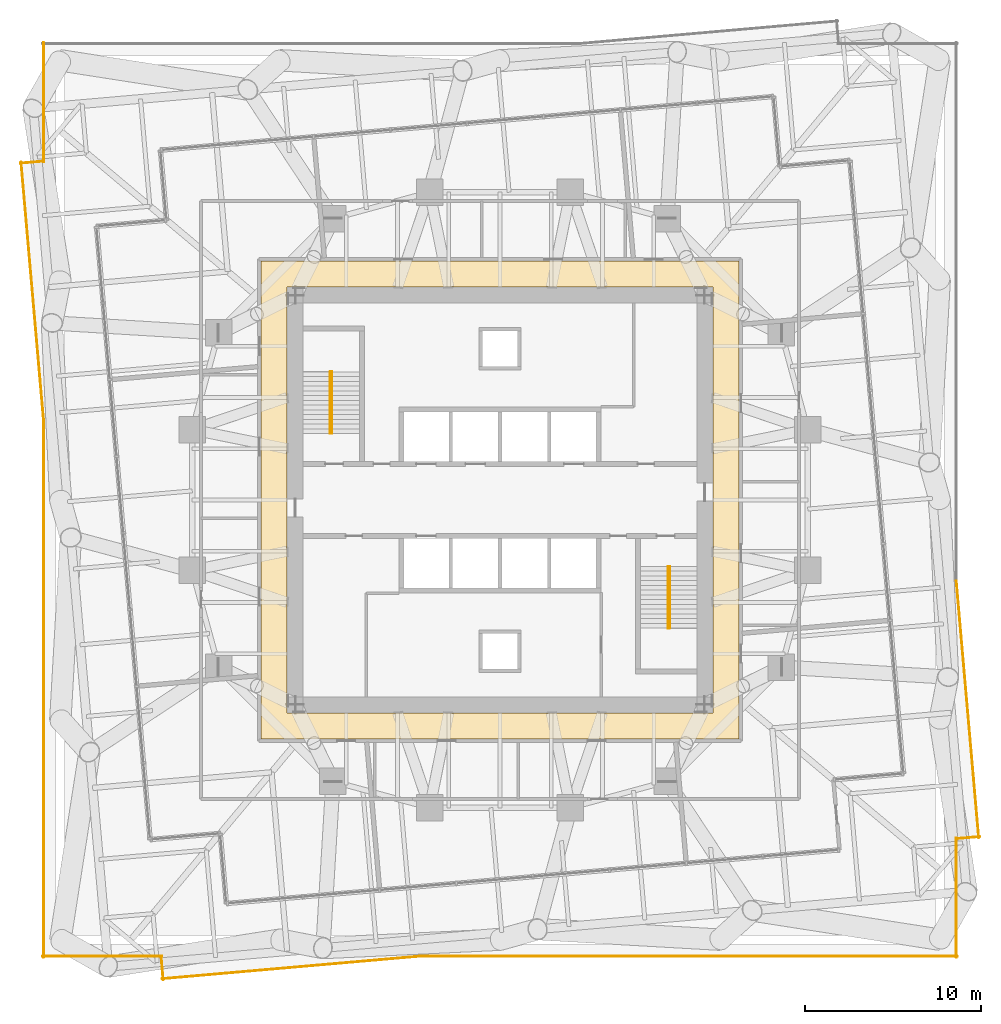
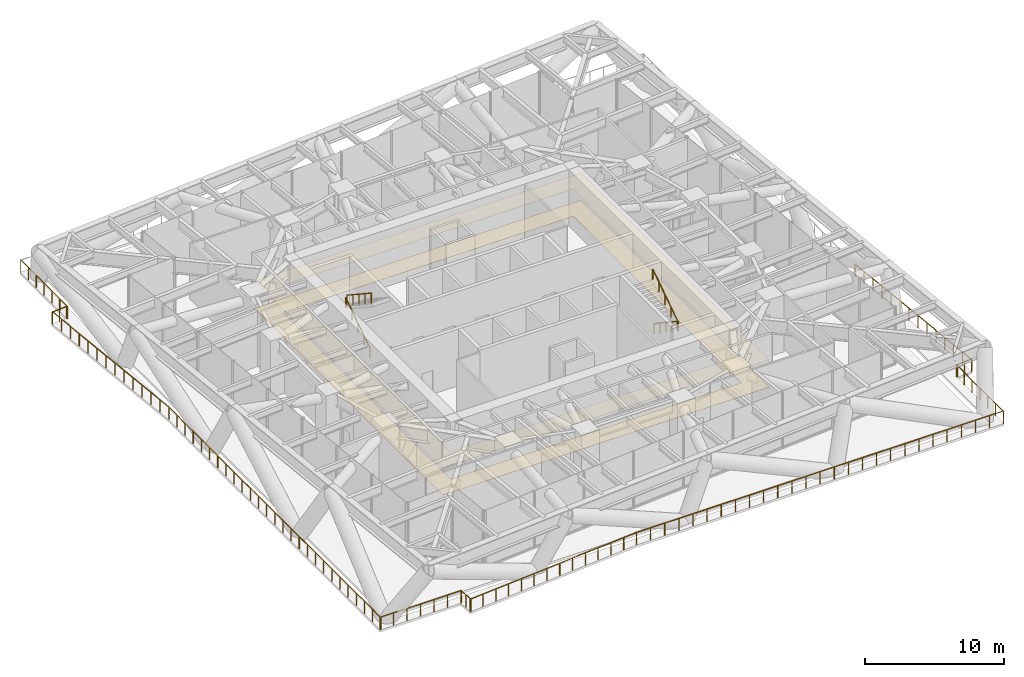
# One storey, part 13 of 14: 15 railings, 2 coverings, 2 elements without a shape of their own.
"""IFC4 building model written with IfcOpenShell, lengths in metres."""

from ifc_helpers import new_model, si_unit, direction, frame, origin, origin_2d, place, context, subcontext, project, spatial, polyline, circle, outline, extrude, material, layer, layer_set, type_object, element, aggregate, save


model = new_model("IFC4")

# Units and contexts
model_context = context("Model", 3, precision=1e-05, world=origin(), true_north=direction((0.0, 1.0)))
body_context = subcontext(model_context, "Body", "Model", "MODEL_VIEW")
ifc_project = project(units=[si_unit("LENGTHUNIT", "METRE"), si_unit("AREAUNIT", "SQUARE_METRE"), si_unit("VOLUMEUNIT", "CUBIC_METRE"), si_unit("PLANEANGLEUNIT", "RADIAN"), si_unit("MASSUNIT", "GRAM", prefix="KILO")], contexts=[model_context])

# Site, building, storey
site_placement = place(None, origin())
site = spatial("IfcSite", under=ifc_project, at=site_placement, CompositionType="ELEMENT")
building_placement = place(site_placement, origin())
building = spatial("IfcBuilding", under=site, at=building_placement, Name="Torsade Residences", CompositionType="ELEMENT")
storey_placement = place(building_placement, frame((0.0, 0.0, 42.199951171875)))
storey = spatial("IfcBuildingStorey", under=building, at=storey_placement, Name="L11", CompositionType="ELEMENT", Elevation=42.199951171875)

# Coverings
ifc_material_1 = material(Name="Nylon carpet tile on underlay", Category="textile")
ifc_layer_1 = layer(ifc_material_1, 0.010009765625)
ifc_layer_set_1 = layer_set([ifc_layer_1], Name="Nylon carpet tile on underlay")
covering_type_1 = type_object("IfcCoveringType", Name="CORRIDOR CARPET TILE 10", PredefinedType="FLOORING", material=ifc_layer_set_1)
covering_1_placement = place(storey_placement, origin())
element("IfcCovering", 1, at=covering_1_placement, inside=storey, type_object=covering_type_1, Name="Corridor carpet L11", PredefinedType="FLOORING", context=body_context, shape_type="SweptSolid", body=[
    extrude(outline(polyline([(26.39990234375, 16.39990234375), (53.60009765625, 16.39990234375), (53.60009765625, 43.60009765625), (26.39990234375, 43.60009765625), (26.39990234375, 16.39990234375)]), holes=[polyline([(27.89990234375, 42.10009765625), (27.89990234375, 17.89990234375), (52.10009765625, 17.89990234375), (52.10009765625, 42.10009765625), (27.89990234375, 42.10009765625)])]), origin(), (0.0, 0.0, 1.0), 0.010009765625),
])
ifc_material_2 = material(Name="Plasterboard on suspended steel grid", Category="steel")
ifc_layer_2 = layer(ifc_material_2, 0.012939453125)
ifc_layer_set_2 = layer_set([ifc_layer_2], Name="Plasterboard on suspended steel grid")
covering_type_2 = type_object("IfcCoveringType", Name="CORRIDOR SUSPENDED CEILING 13", PredefinedType="CEILING", material=ifc_layer_set_2)
covering_2_placement = place(storey_placement, frame((0.0, 0.0, 2.400146484375)))
element("IfcCovering", 2, at=covering_2_placement, inside=storey, type_object=covering_type_2, Name="Corridor ceiling L11", PredefinedType="CEILING", context=body_context, shape_type="SweptSolid", body=[
    extrude(outline(polyline([(26.39990234375, 16.39990234375), (53.60009765625, 16.39990234375), (53.60009765625, 43.60009765625), (26.39990234375, 43.60009765625), (26.39990234375, 16.39990234375)]), holes=[polyline([(27.89990234375, 42.10009765625), (27.89990234375, 17.89990234375), (52.10009765625, 17.89990234375), (52.10009765625, 42.10009765625), (27.89990234375, 42.10009765625)])]), origin(), (0.0, 0.0, 1.0), 0.012939453125),
])

# Railings
ifc_material_3 = material(Name="Galvanised steel guard rail", Category="steel")
railing_type_1 = type_object("IfcRailingType", Name="ROOF EDGE GUARD 1100", PredefinedType="GUARDRAIL", material=ifc_material_3)
railing_1_placement = place(storey_placement, frame((20.742431640625, 4.00439453125, 0.0)))
element("IfcRailing", 3, at=railing_1_placement, inside=storey, type_object=railing_type_1, Name="Roof edge guard L11 1", PredefinedType="GUARDRAIL", context=body_context, shape_type="SweptSolid", body=[
    extrude(circle(Radius=0.02392578125, at=origin_2d()), frame((0.0, 0.0, 1.076171875), z_axis=(0.087048804972, -0.996204048151, 0.0), x_axis=(0.996204048151, 0.087048804972, 0.0)), (0.0, 0.0, 1.0), 1.28173828125),
    extrude(circle(Radius=0.02099609375, at=origin_2d()), origin(), (0.0, 0.0, 1.0), 1.052001953125),
    extrude(circle(Radius=0.02099609375, at=origin_2d()), frame((0.0556640625, -0.638427734375, 0.0)), (0.0, 0.0, 1.0), 1.052001953125),
    extrude(circle(Radius=0.02099609375, at=origin_2d()), frame((0.111572265625, -1.27685546875, 0.0)), (0.0, 0.0, 1.0), 1.052001953125),
])
railing_2_placement = place(storey_placement, frame((20.800048828125, 2.77294921875, 0.0)))
element("IfcRailing", 4, at=railing_2_placement, inside=storey, type_object=railing_type_1, Name="Roof edge guard L11 2", PredefinedType="GUARDRAIL", context=body_context, shape_type="SweptSolid", body=[
    extrude(circle(Radius=0.02392578125, at=origin_2d()), frame((0.0, 0.0, 1.076171875), z_axis=(0.996193807914, 0.087165916933, 0.0), x_axis=(-0.087165916933, 0.996193807914, 0.0)), (0.0, 0.0, 1.0), 14.654052734375),
    extrude(circle(Radius=0.02099609375, at=origin_2d()), origin(), (0.0, 0.0, 1.0), 1.052001953125),
    extrude(circle(Radius=0.02099609375, at=origin_2d()), frame((1.123046875, 0.09814453125, 0.0)), (0.0, 0.0, 1.0), 1.052001953125),
    extrude(circle(Radius=0.02099609375, at=origin_2d()), frame((2.245849609375, 0.196533203125, 0.0)), (0.0, 0.0, 1.0), 1.052001953125),
    extrude(circle(Radius=0.02099609375, at=origin_2d()), frame((3.368896484375, 0.294677734375, 0.0)), (0.0, 0.0, 1.0), 1.052001953125),
    extrude(circle(Radius=0.02099609375, at=origin_2d()), frame((4.49169921875, 0.39306640625, 0.0)), (0.0, 0.0, 1.0), 1.052001953125),
    extrude(circle(Radius=0.02099609375, at=origin_2d()), frame((5.61474609375, 0.4912109375, 0.0)), (0.0, 0.0, 1.0), 1.052001953125),
    extrude(circle(Radius=0.02099609375, at=origin_2d()), frame((6.73779296875, 0.589599609375, 0.0)), (0.0, 0.0, 1.0), 1.052001953125),
    extrude(circle(Radius=0.02099609375, at=origin_2d()), frame((7.860595703125, 0.687744140625, 0.0)), (0.0, 0.0, 1.0), 1.052001953125),
    extrude(circle(Radius=0.02099609375, at=origin_2d()), frame((8.983642578125, 0.7861328125, 0.0)), (0.0, 0.0, 1.0), 1.052001953125),
    extrude(circle(Radius=0.02099609375, at=origin_2d()), frame((10.106689453125, 0.88427734375, 0.0)), (0.0, 0.0, 1.0), 1.052001953125),
    extrude(circle(Radius=0.02099609375, at=origin_2d()), frame((11.2294921875, 0.982666015625, 0.0)), (0.0, 0.0, 1.0), 1.052001953125),
    extrude(circle(Radius=0.02099609375, at=origin_2d()), frame((12.3525390625, 1.080810546875, 0.0)), (0.0, 0.0, 1.0), 1.052001953125),
    extrude(circle(Radius=0.02099609375, at=origin_2d()), frame((13.475341796875, 1.17919921875, 0.0)), (0.0, 0.0, 1.0), 1.052001953125),
    extrude(circle(Radius=0.02099609375, at=origin_2d()), frame((14.598388671875, 1.27734375, 0.0)), (0.0, 0.0, 1.0), 1.052001953125),
])
railing_3_placement = place(storey_placement, frame((35.3984375, 4.050048828125, 0.0)))
element("IfcRailing", 5, at=railing_3_placement, inside=storey, type_object=railing_type_1, Name="Roof edge guard L11 3", PredefinedType="GUARDRAIL", context=body_context, shape_type="SweptSolid", body=[
    extrude(circle(Radius=0.02392578125, at=origin_2d()), frame((0.0, 0.0, 1.076171875), z_axis=(1.0, 0.0, 0.0), x_axis=(0.0, 1.0, 0.0)), (0.0, 0.0, 1.0), 30.6015625),
    extrude(circle(Radius=0.02099609375, at=origin_2d()), origin(), (0.0, 0.0, 1.0), 1.052001953125),
    extrude(circle(Radius=0.02099609375, at=origin_2d()), frame((1.177001953125, 0.0, 0.0)), (0.0, 0.0, 1.0), 1.052001953125),
    extrude(circle(Radius=0.02099609375, at=origin_2d()), frame((2.35400390625, 0.0, 0.0)), (0.0, 0.0, 1.0), 1.052001953125),
    extrude(circle(Radius=0.02099609375, at=origin_2d()), frame((3.531005859375, 0.0, 0.0)), (0.0, 0.0, 1.0), 1.052001953125),
    extrude(circle(Radius=0.02099609375, at=origin_2d()), frame((4.7080078125, 0.0, 0.0)), (0.0, 0.0, 1.0), 1.052001953125),
    extrude(circle(Radius=0.02099609375, at=origin_2d()), frame((5.885009765625, 0.0, 0.0)), (0.0, 0.0, 1.0), 1.052001953125),
    extrude(circle(Radius=0.02099609375, at=origin_2d()), frame((7.06201171875, 0.0, 0.0)), (0.0, 0.0, 1.0), 1.052001953125),
    extrude(circle(Radius=0.02099609375, at=origin_2d()), frame((8.23876953125, 0.0, 0.0)), (0.0, 0.0, 1.0), 1.052001953125),
    extrude(circle(Radius=0.02099609375, at=origin_2d()), frame((9.415771484375, 0.0, 0.0)), (0.0, 0.0, 1.0), 1.052001953125),
    extrude(circle(Radius=0.02099609375, at=origin_2d()), frame((10.5927734375, 0.0, 0.0)), (0.0, 0.0, 1.0), 1.052001953125),
    extrude(circle(Radius=0.02099609375, at=origin_2d()), frame((11.769775390625, 0.0, 0.0)), (0.0, 0.0, 1.0), 1.052001953125),
    extrude(circle(Radius=0.02099609375, at=origin_2d()), frame((12.94677734375, 0.0, 0.0)), (0.0, 0.0, 1.0), 1.052001953125),
    extrude(circle(Radius=0.02099609375, at=origin_2d()), frame((14.123779296875, 0.0, 0.0)), (0.0, 0.0, 1.0), 1.052001953125),
    extrude(circle(Radius=0.02099609375, at=origin_2d()), frame((15.30078125, 0.0, 0.0)), (0.0, 0.0, 1.0), 1.052001953125),
    extrude(circle(Radius=0.02099609375, at=origin_2d()), frame((16.477783203125, 0.0, 0.0)), (0.0, 0.0, 1.0), 1.052001953125),
    extrude(circle(Radius=0.02099609375, at=origin_2d()), frame((17.65478515625, 0.0, 0.0)), (0.0, 0.0, 1.0), 1.052001953125),
    extrude(circle(Radius=0.02099609375, at=origin_2d()), frame((18.831787109375, 0.0, 0.0)), (0.0, 0.0, 1.0), 1.052001953125),
    extrude(circle(Radius=0.02099609375, at=origin_2d()), frame((20.0087890625, 0.0, 0.0)), (0.0, 0.0, 1.0), 1.052001953125),
    extrude(circle(Radius=0.02099609375, at=origin_2d()), frame((21.185791015625, 0.0, 0.0)), (0.0, 0.0, 1.0), 1.052001953125),
    extrude(circle(Radius=0.02099609375, at=origin_2d()), frame((22.36279296875, 0.0, 0.0)), (0.0, 0.0, 1.0), 1.052001953125),
    extrude(circle(Radius=0.02099609375, at=origin_2d()), frame((23.53955078125, 0.0, 0.0)), (0.0, 0.0, 1.0), 1.052001953125),
    extrude(circle(Radius=0.02099609375, at=origin_2d()), frame((24.716552734375, 0.0, 0.0)), (0.0, 0.0, 1.0), 1.052001953125),
    extrude(circle(Radius=0.02099609375, at=origin_2d()), frame((25.8935546875, 0.0, 0.0)), (0.0, 0.0, 1.0), 1.052001953125),
    extrude(circle(Radius=0.02099609375, at=origin_2d()), frame((27.070556640625, 0.0, 0.0)), (0.0, 0.0, 1.0), 1.052001953125),
    extrude(circle(Radius=0.02099609375, at=origin_2d()), frame((28.24755859375, 0.0, 0.0)), (0.0, 0.0, 1.0), 1.052001953125),
    extrude(circle(Radius=0.02099609375, at=origin_2d()), frame((29.424560546875, 0.0, 0.0)), (0.0, 0.0, 1.0), 1.052001953125),
    extrude(circle(Radius=0.02099609375, at=origin_2d()), frame((30.6015625, 0.0, 0.0)), (0.0, 0.0, 1.0), 1.052001953125),
])
railing_4_placement = place(storey_placement, frame((65.949951171875, 4.0, 0.0)))
element("IfcRailing", 6, at=railing_4_placement, inside=storey, type_object=railing_type_1, Name="Roof edge guard L11 4", PredefinedType="GUARDRAIL", context=body_context, shape_type="SweptSolid", body=[
    extrude(circle(Radius=0.02392578125, at=origin_2d()), frame((0.0, 0.0, 1.076171875), z_axis=(0.0, 1.0, 0.0), x_axis=(-1.0, 0.0, 0.0)), (0.0, 0.0, 1.0), 6.7841796875),
    extrude(circle(Radius=0.02099609375, at=origin_2d()), origin(), (0.0, 0.0, 1.0), 1.052001953125),
    extrude(circle(Radius=0.02099609375, at=origin_2d()), frame((0.0, 1.130615234375, 0.0)), (0.0, 0.0, 1.0), 1.052001953125),
    extrude(circle(Radius=0.02099609375, at=origin_2d()), frame((0.0, 2.261474609375, 0.0)), (0.0, 0.0, 1.0), 1.052001953125),
    extrude(circle(Radius=0.02099609375, at=origin_2d()), frame((0.0, 3.39208984375, 0.0)), (0.0, 0.0, 1.0), 1.052001953125),
    extrude(circle(Radius=0.02099609375, at=origin_2d()), frame((0.0, 4.522705078125, 0.0)), (0.0, 0.0, 1.0), 1.052001953125),
    extrude(circle(Radius=0.02099609375, at=origin_2d()), frame((0.0, 5.653564453125, 0.0)), (0.0, 0.0, 1.0), 1.052001953125),
    extrude(circle(Radius=0.02099609375, at=origin_2d()), frame((0.0, 6.7841796875, 0.0)), (0.0, 0.0, 1.0), 1.052001953125),
])
railing_5_placement = place(storey_placement, frame((65.99560546875, 10.742431640625, 0.0)))
element("IfcRailing", 7, at=railing_5_placement, inside=storey, type_object=railing_type_1, Name="Roof edge guard L11 5", PredefinedType="GUARDRAIL", context=body_context, shape_type="SweptSolid", body=[
    extrude(circle(Radius=0.02392578125, at=origin_2d()), frame((0.0, 0.0, 1.076171875), z_axis=(0.996204048151, 0.087048804972, 0.0), x_axis=(-0.087048804972, 0.996204048151, 0.0)), (0.0, 0.0, 1.0), 1.28173828125),
    extrude(circle(Radius=0.02099609375, at=origin_2d()), origin(), (0.0, 0.0, 1.0), 1.052001953125),
    extrude(circle(Radius=0.02099609375, at=origin_2d()), frame((0.638427734375, 0.0556640625, 0.0)), (0.0, 0.0, 1.0), 1.052001953125),
    extrude(circle(Radius=0.02099609375, at=origin_2d()), frame((1.27685546875, 0.111572265625, 0.0)), (0.0, 0.0, 1.0), 1.052001953125),
])
railing_6_placement = place(storey_placement, frame((67.22705078125, 10.800048828125, 0.0)))
element("IfcRailing", 8, at=railing_6_placement, inside=storey, type_object=railing_type_1, Name="Roof edge guard L11 6", PredefinedType="GUARDRAIL", context=body_context, shape_type="SweptSolid", body=[
    extrude(circle(Radius=0.02392578125, at=origin_2d()), frame((0.0, 0.0, 1.076171875), z_axis=(-0.087165916933, 0.996193807914, 0.0), x_axis=(-0.996193807914, -0.087165916933, 0.0)), (0.0, 0.0, 1.0), 14.654052734375),
    extrude(circle(Radius=0.02099609375, at=origin_2d()), origin(), (0.0, 0.0, 1.0), 1.052001953125),
    extrude(circle(Radius=0.02099609375, at=origin_2d()), frame((-0.09814453125, 1.123046875, 0.0)), (0.0, 0.0, 1.0), 1.052001953125),
    extrude(circle(Radius=0.02099609375, at=origin_2d()), frame((-0.196533203125, 2.245849609375, 0.0)), (0.0, 0.0, 1.0), 1.052001953125),
    extrude(circle(Radius=0.02099609375, at=origin_2d()), frame((-0.294677734375, 3.368896484375, 0.0)), (0.0, 0.0, 1.0), 1.052001953125),
    extrude(circle(Radius=0.02099609375, at=origin_2d()), frame((-0.39306640625, 4.49169921875, 0.0)), (0.0, 0.0, 1.0), 1.052001953125),
    extrude(circle(Radius=0.02099609375, at=origin_2d()), frame((-0.4912109375, 5.61474609375, 0.0)), (0.0, 0.0, 1.0), 1.052001953125),
    extrude(circle(Radius=0.02099609375, at=origin_2d()), frame((-0.589599609375, 6.73779296875, 0.0)), (0.0, 0.0, 1.0), 1.052001953125),
    extrude(circle(Radius=0.02099609375, at=origin_2d()), frame((-0.687744140625, 7.860595703125, 0.0)), (0.0, 0.0, 1.0), 1.052001953125),
    extrude(circle(Radius=0.02099609375, at=origin_2d()), frame((-0.7861328125, 8.983642578125, 0.0)), (0.0, 0.0, 1.0), 1.052001953125),
    extrude(circle(Radius=0.02099609375, at=origin_2d()), frame((-0.88427734375, 10.106689453125, 0.0)), (0.0, 0.0, 1.0), 1.052001953125),
    extrude(circle(Radius=0.02099609375, at=origin_2d()), frame((-0.982666015625, 11.2294921875, 0.0)), (0.0, 0.0, 1.0), 1.052001953125),
    extrude(circle(Radius=0.02099609375, at=origin_2d()), frame((-1.080810546875, 12.3525390625, 0.0)), (0.0, 0.0, 1.0), 1.052001953125),
    extrude(circle(Radius=0.02099609375, at=origin_2d()), frame((-1.17919921875, 13.475341796875, 0.0)), (0.0, 0.0, 1.0), 1.052001953125),
    extrude(circle(Radius=0.02099609375, at=origin_2d()), frame((-1.27734375, 14.598388671875, 0.0)), (0.0, 0.0, 1.0), 1.052001953125),
])
railing_7_placement = place(storey_placement, frame((14.050048828125, 56.0, 0.0)))
element("IfcRailing", 9, at=railing_7_placement, inside=storey, type_object=railing_type_1, Name="Roof edge guard L11 12", PredefinedType="GUARDRAIL", context=body_context, shape_type="SweptSolid", body=[
    extrude(circle(Radius=0.02392578125, at=origin_2d()), frame((0.0, 0.0, 1.076171875), z_axis=(0.0, -1.0, 0.0), x_axis=(1.0, 0.0, 0.0)), (0.0, 0.0, 1.0), 6.7841796875),
    extrude(circle(Radius=0.02099609375, at=origin_2d()), origin(), (0.0, 0.0, 1.0), 1.052001953125),
    extrude(circle(Radius=0.02099609375, at=origin_2d()), frame((0.0, -1.130615234375, 0.0)), (0.0, 0.0, 1.0), 1.052001953125),
    extrude(circle(Radius=0.02099609375, at=origin_2d()), frame((0.0, -2.261474609375, 0.0)), (0.0, 0.0, 1.0), 1.052001953125),
    extrude(circle(Radius=0.02099609375, at=origin_2d()), frame((0.0, -3.39208984375, 0.0)), (0.0, 0.0, 1.0), 1.052001953125),
    extrude(circle(Radius=0.02099609375, at=origin_2d()), frame((0.0, -4.522705078125, 0.0)), (0.0, 0.0, 1.0), 1.052001953125),
    extrude(circle(Radius=0.02099609375, at=origin_2d()), frame((0.0, -5.653564453125, 0.0)), (0.0, 0.0, 1.0), 1.052001953125),
    extrude(circle(Radius=0.02099609375, at=origin_2d()), frame((0.0, -6.7841796875, 0.0)), (0.0, 0.0, 1.0), 1.052001953125),
])
railing_8_placement = place(storey_placement, frame((14.00439453125, 49.257568359375, 0.0)))
element("IfcRailing", 10, at=railing_8_placement, inside=storey, type_object=railing_type_1, Name="Roof edge guard L11 13", PredefinedType="GUARDRAIL", context=body_context, shape_type="SweptSolid", body=[
    extrude(circle(Radius=0.02392578125, at=origin_2d()), frame((0.0, 0.0, 1.076171875), z_axis=(-0.996204048151, -0.087048804972, 0.0), x_axis=(0.087048804972, -0.996204048151, 0.0)), (0.0, 0.0, 1.0), 1.28173828125),
    extrude(circle(Radius=0.02099609375, at=origin_2d()), origin(), (0.0, 0.0, 1.0), 1.052001953125),
    extrude(circle(Radius=0.02099609375, at=origin_2d()), frame((-0.638427734375, -0.0556640625, 0.0)), (0.0, 0.0, 1.0), 1.052001953125),
    extrude(circle(Radius=0.02099609375, at=origin_2d()), frame((-1.27685546875, -0.111572265625, 0.0)), (0.0, 0.0, 1.0), 1.052001953125),
])
railing_9_placement = place(storey_placement, frame((12.77294921875, 49.199951171875, 0.0)))
element("IfcRailing", 11, at=railing_9_placement, inside=storey, type_object=railing_type_1, Name="Roof edge guard L11 14", PredefinedType="GUARDRAIL", context=body_context, shape_type="SweptSolid", body=[
    extrude(circle(Radius=0.02392578125, at=origin_2d()), frame((0.0, 0.0, 1.076171875), z_axis=(0.087165916933, -0.996193807914, 0.0), x_axis=(0.996193807914, 0.087165916933, 0.0)), (0.0, 0.0, 1.0), 14.654052734375),
    extrude(circle(Radius=0.02099609375, at=origin_2d()), origin(), (0.0, 0.0, 1.0), 1.052001953125),
    extrude(circle(Radius=0.02099609375, at=origin_2d()), frame((0.09814453125, -1.123046875, 0.0)), (0.0, 0.0, 1.0), 1.052001953125),
    extrude(circle(Radius=0.02099609375, at=origin_2d()), frame((0.196533203125, -2.245849609375, 0.0)), (0.0, 0.0, 1.0), 1.052001953125),
    extrude(circle(Radius=0.02099609375, at=origin_2d()), frame((0.294677734375, -3.368896484375, 0.0)), (0.0, 0.0, 1.0), 1.052001953125),
    extrude(circle(Radius=0.02099609375, at=origin_2d()), frame((0.39306640625, -4.49169921875, 0.0)), (0.0, 0.0, 1.0), 1.052001953125),
    extrude(circle(Radius=0.02099609375, at=origin_2d()), frame((0.4912109375, -5.61474609375, 0.0)), (0.0, 0.0, 1.0), 1.052001953125),
    extrude(circle(Radius=0.02099609375, at=origin_2d()), frame((0.589599609375, -6.73779296875, 0.0)), (0.0, 0.0, 1.0), 1.052001953125),
    extrude(circle(Radius=0.02099609375, at=origin_2d()), frame((0.687744140625, -7.860595703125, 0.0)), (0.0, 0.0, 1.0), 1.052001953125),
    extrude(circle(Radius=0.02099609375, at=origin_2d()), frame((0.7861328125, -8.983642578125, 0.0)), (0.0, 0.0, 1.0), 1.052001953125),
    extrude(circle(Radius=0.02099609375, at=origin_2d()), frame((0.88427734375, -10.106689453125, 0.0)), (0.0, 0.0, 1.0), 1.052001953125),
    extrude(circle(Radius=0.02099609375, at=origin_2d()), frame((0.982666015625, -11.2294921875, 0.0)), (0.0, 0.0, 1.0), 1.052001953125),
    extrude(circle(Radius=0.02099609375, at=origin_2d()), frame((1.080810546875, -12.3525390625, 0.0)), (0.0, 0.0, 1.0), 1.052001953125),
    extrude(circle(Radius=0.02099609375, at=origin_2d()), frame((1.17919921875, -13.475341796875, 0.0)), (0.0, 0.0, 1.0), 1.052001953125),
    extrude(circle(Radius=0.02099609375, at=origin_2d()), frame((1.27734375, -14.598388671875, 0.0)), (0.0, 0.0, 1.0), 1.052001953125),
])
railing_10_placement = place(storey_placement, frame((14.050048828125, 34.6015625, 0.0)))
element("IfcRailing", 12, at=railing_10_placement, inside=storey, type_object=railing_type_1, Name="Roof edge guard L11 15", PredefinedType="GUARDRAIL", context=body_context, shape_type="SweptSolid", body=[
    extrude(circle(Radius=0.02392578125, at=origin_2d()), frame((0.0, 0.0, 1.076171875), z_axis=(0.0, -1.0, 0.0), x_axis=(1.0, 0.0, 0.0)), (0.0, 0.0, 1.0), 30.6015625),
    extrude(circle(Radius=0.02099609375, at=origin_2d()), origin(), (0.0, 0.0, 1.0), 1.052001953125),
    extrude(circle(Radius=0.02099609375, at=origin_2d()), frame((0.0, -1.177001953125, 0.0)), (0.0, 0.0, 1.0), 1.052001953125),
    extrude(circle(Radius=0.02099609375, at=origin_2d()), frame((0.0, -2.35400390625, 0.0)), (0.0, 0.0, 1.0), 1.052001953125),
    extrude(circle(Radius=0.02099609375, at=origin_2d()), frame((0.0, -3.531005859375, 0.0)), (0.0, 0.0, 1.0), 1.052001953125),
    extrude(circle(Radius=0.02099609375, at=origin_2d()), frame((0.0, -4.7080078125, 0.0)), (0.0, 0.0, 1.0), 1.052001953125),
    extrude(circle(Radius=0.02099609375, at=origin_2d()), frame((0.0, -5.885009765625, 0.0)), (0.0, 0.0, 1.0), 1.052001953125),
    extrude(circle(Radius=0.02099609375, at=origin_2d()), frame((0.0, -7.06201171875, 0.0)), (0.0, 0.0, 1.0), 1.052001953125),
    extrude(circle(Radius=0.02099609375, at=origin_2d()), frame((0.0, -8.23876953125, 0.0)), (0.0, 0.0, 1.0), 1.052001953125),
    extrude(circle(Radius=0.02099609375, at=origin_2d()), frame((0.0, -9.415771484375, 0.0)), (0.0, 0.0, 1.0), 1.052001953125),
    extrude(circle(Radius=0.02099609375, at=origin_2d()), frame((0.0, -10.5927734375, 0.0)), (0.0, 0.0, 1.0), 1.052001953125),
    extrude(circle(Radius=0.02099609375, at=origin_2d()), frame((0.0, -11.769775390625, 0.0)), (0.0, 0.0, 1.0), 1.052001953125),
    extrude(circle(Radius=0.02099609375, at=origin_2d()), frame((0.0, -12.94677734375, 0.0)), (0.0, 0.0, 1.0), 1.052001953125),
    extrude(circle(Radius=0.02099609375, at=origin_2d()), frame((0.0, -14.123779296875, 0.0)), (0.0, 0.0, 1.0), 1.052001953125),
    extrude(circle(Radius=0.02099609375, at=origin_2d()), frame((0.0, -15.30078125, 0.0)), (0.0, 0.0, 1.0), 1.052001953125),
    extrude(circle(Radius=0.02099609375, at=origin_2d()), frame((0.0, -16.477783203125, 0.0)), (0.0, 0.0, 1.0), 1.052001953125),
    extrude(circle(Radius=0.02099609375, at=origin_2d()), frame((0.0, -17.65478515625, 0.0)), (0.0, 0.0, 1.0), 1.052001953125),
    extrude(circle(Radius=0.02099609375, at=origin_2d()), frame((0.0, -18.831787109375, 0.0)), (0.0, 0.0, 1.0), 1.052001953125),
    extrude(circle(Radius=0.02099609375, at=origin_2d()), frame((0.0, -20.0087890625, 0.0)), (0.0, 0.0, 1.0), 1.052001953125),
    extrude(circle(Radius=0.02099609375, at=origin_2d()), frame((0.0, -21.185791015625, 0.0)), (0.0, 0.0, 1.0), 1.052001953125),
    extrude(circle(Radius=0.02099609375, at=origin_2d()), frame((0.0, -22.36279296875, 0.0)), (0.0, 0.0, 1.0), 1.052001953125),
    extrude(circle(Radius=0.02099609375, at=origin_2d()), frame((0.0, -23.53955078125, 0.0)), (0.0, 0.0, 1.0), 1.052001953125),
    extrude(circle(Radius=0.02099609375, at=origin_2d()), frame((0.0, -24.716552734375, 0.0)), (0.0, 0.0, 1.0), 1.052001953125),
    extrude(circle(Radius=0.02099609375, at=origin_2d()), frame((0.0, -25.8935546875, 0.0)), (0.0, 0.0, 1.0), 1.052001953125),
    extrude(circle(Radius=0.02099609375, at=origin_2d()), frame((0.0, -27.070556640625, 0.0)), (0.0, 0.0, 1.0), 1.052001953125),
    extrude(circle(Radius=0.02099609375, at=origin_2d()), frame((0.0, -28.24755859375, 0.0)), (0.0, 0.0, 1.0), 1.052001953125),
    extrude(circle(Radius=0.02099609375, at=origin_2d()), frame((0.0, -29.424560546875, 0.0)), (0.0, 0.0, 1.0), 1.052001953125),
    extrude(circle(Radius=0.02099609375, at=origin_2d()), frame((0.0, -30.6015625, 0.0)), (0.0, 0.0, 1.0), 1.052001953125),
])
railing_11_placement = place(storey_placement, frame((14.0, 4.050048828125, 0.0)))
element("IfcRailing", 13, at=railing_11_placement, inside=storey, type_object=railing_type_1, Name="Roof edge guard L11 16", PredefinedType="GUARDRAIL", context=body_context, shape_type="SweptSolid", body=[
    extrude(circle(Radius=0.02392578125, at=origin_2d()), frame((0.0, 0.0, 1.076171875), z_axis=(1.0, 0.0, 0.0), x_axis=(0.0, 1.0, 0.0)), (0.0, 0.0, 1.0), 6.7841796875),
    extrude(circle(Radius=0.02099609375, at=origin_2d()), origin(), (0.0, 0.0, 1.0), 1.052001953125),
    extrude(circle(Radius=0.02099609375, at=origin_2d()), frame((1.130615234375, 0.0, 0.0)), (0.0, 0.0, 1.0), 1.052001953125),
    extrude(circle(Radius=0.02099609375, at=origin_2d()), frame((2.261474609375, 0.0, 0.0)), (0.0, 0.0, 1.0), 1.052001953125),
    extrude(circle(Radius=0.02099609375, at=origin_2d()), frame((3.39208984375, 0.0, 0.0)), (0.0, 0.0, 1.0), 1.052001953125),
    extrude(circle(Radius=0.02099609375, at=origin_2d()), frame((4.522705078125, 0.0, 0.0)), (0.0, 0.0, 1.0), 1.052001953125),
    extrude(circle(Radius=0.02099609375, at=origin_2d()), frame((5.653564453125, 0.0, 0.0)), (0.0, 0.0, 1.0), 1.052001953125),
    extrude(circle(Radius=0.02099609375, at=origin_2d()), frame((6.7841796875, 0.0, 0.0)), (0.0, 0.0, 1.0), 1.052001953125),
])

# Stair, railings
ifc_material_4 = material(Name="Precast concrete 40 MPa", Category="concrete")
stair_type = type_object("IfcStairType", Name="HALF-TURN FIRE STAIR 1500x5000", PredefinedType="HALF_TURN_STAIR", material=ifc_material_4)
stair_1_placement = place(storey_placement, origin())
stair_1 = element("IfcStair", 14, at=stair_1_placement, inside=storey, type_object=stair_type, Name="Stair ST1 L11", PredefinedType="HALF_TURN_STAIR")
ifc_material_5 = material(Name="Steel handrail", Category="steel")
railing_type_2 = type_object("IfcRailingType", Name="STAIR HANDRAIL 900", PredefinedType="HANDRAIL", material=ifc_material_5)
railing_12_placement = place(storey_placement, frame((30.35009765625, 33.780029296875, 0.1787109375)))
railing_12 = element("IfcRailing", 15, at=railing_12_placement, type_object=railing_type_2, Name="Handrail ST1 flight 1 L11", PredefinedType="HANDRAIL", context=body_context, shape_type="SweptSolid", body=[
    extrude(circle(Radius=0.02392578125, at=origin_2d()), frame((0.0, 0.0, 0.8759765625), z_axis=(0.0, 0.834097473627, 0.551617081397), x_axis=(-1.0, 0.0, 0.0)), (0.0, 0.0, 1.0), 4.208251953125),
    extrude(circle(Radius=0.02099609375, at=origin_2d()), origin(), (0.0, 0.0, 1.0), 0.851806640625),
    extrude(circle(Radius=0.02099609375, at=origin_2d()), frame((0.0, 0.87744140625, 0.580322265625)), (0.0, 0.0, 1.0), 0.851806640625),
    extrude(circle(Radius=0.02099609375, at=origin_2d()), frame((0.0, 1.7548828125, 1.16064453125)), (0.0, 0.0, 1.0), 0.851806640625),
    extrude(circle(Radius=0.02099609375, at=origin_2d()), frame((0.0, 2.632568359375, 1.740966796875)), (0.0, 0.0, 1.0), 0.851806640625),
    extrude(circle(Radius=0.02099609375, at=origin_2d()), frame((0.0, 3.510009765625, 2.3212890625)), (0.0, 0.0, 1.0), 0.851806640625),
])
railing_13_placement = place(storey_placement, frame((30.449951171875, 37.2900390625, 2.6787109375)))
railing_13 = element("IfcRailing", 16, at=railing_13_placement, type_object=railing_type_2, Name="Handrail ST1 flight 2 L11", PredefinedType="HANDRAIL", context=body_context, shape_type="SweptSolid", body=[
    extrude(circle(Radius=0.02392578125, at=origin_2d()), frame((0.0, 0.0, 0.8759765625), z_axis=(0.0, -0.834097473627, 0.551617081397), x_axis=(1.0, 0.0, 0.0)), (0.0, 0.0, 1.0), 4.208251953125),
    extrude(circle(Radius=0.02099609375, at=origin_2d()), origin(), (0.0, 0.0, 1.0), 0.851806640625),
    extrude(circle(Radius=0.02099609375, at=origin_2d()), frame((0.0, -0.87744140625, 0.580322265625)), (0.0, 0.0, 1.0), 0.851806640625),
    extrude(circle(Radius=0.02099609375, at=origin_2d()), frame((0.0, -1.7548828125, 1.16064453125)), (0.0, 0.0, 1.0), 0.851806640625),
    extrude(circle(Radius=0.02099609375, at=origin_2d()), frame((0.0, -2.632568359375, 1.740966796875)), (0.0, 0.0, 1.0), 0.851806640625),
    extrude(circle(Radius=0.02099609375, at=origin_2d()), frame((0.0, -3.510009765625, 2.3212890625)), (0.0, 0.0, 1.0), 0.851806640625),
])
aggregate(stair_1, [railing_12, railing_13])

stair_2_placement = place(storey_placement, origin())
stair_2 = element("IfcStair", 17, at=stair_2_placement, inside=storey, type_object=stair_type, Name="Stair ST2 L11", PredefinedType="HALF_TURN_STAIR")
railing_14_placement = place(storey_placement, frame((49.64990234375, 26.219970703125, 0.1787109375)))
railing_14 = element("IfcRailing", 18, at=railing_14_placement, type_object=railing_type_2, Name="Handrail ST2 flight 1 L11", PredefinedType="HANDRAIL", context=body_context, shape_type="SweptSolid", body=[
    extrude(circle(Radius=0.02392578125, at=origin_2d()), frame((0.0, 0.0, 0.8759765625), z_axis=(0.0, -0.834097473627, 0.551617081397), x_axis=(1.0, 0.0, 0.0)), (0.0, 0.0, 1.0), 4.208251953125),
    extrude(circle(Radius=0.02099609375, at=origin_2d()), origin(), (0.0, 0.0, 1.0), 0.851806640625),
    extrude(circle(Radius=0.02099609375, at=origin_2d()), frame((0.0, -0.87744140625, 0.580322265625)), (0.0, 0.0, 1.0), 0.851806640625),
    extrude(circle(Radius=0.02099609375, at=origin_2d()), frame((0.0, -1.7548828125, 1.16064453125)), (0.0, 0.0, 1.0), 0.851806640625),
    extrude(circle(Radius=0.02099609375, at=origin_2d()), frame((0.0, -2.632568359375, 1.740966796875)), (0.0, 0.0, 1.0), 0.851806640625),
    extrude(circle(Radius=0.02099609375, at=origin_2d()), frame((0.0, -3.510009765625, 2.3212890625)), (0.0, 0.0, 1.0), 0.851806640625),
])
railing_15_placement = place(storey_placement, frame((49.550048828125, 22.7099609375, 2.6787109375)))
railing_15 = element("IfcRailing", 19, at=railing_15_placement, type_object=railing_type_2, Name="Handrail ST2 flight 2 L11", PredefinedType="HANDRAIL", context=body_context, shape_type="SweptSolid", body=[
    extrude(circle(Radius=0.02392578125, at=origin_2d()), frame((0.0, 0.0, 0.8759765625), z_axis=(0.0, 0.834097473627, 0.551617081397), x_axis=(-1.0, 0.0, 0.0)), (0.0, 0.0, 1.0), 4.208251953125),
    extrude(circle(Radius=0.02099609375, at=origin_2d()), origin(), (0.0, 0.0, 1.0), 0.851806640625),
    extrude(circle(Radius=0.02099609375, at=origin_2d()), frame((0.0, 0.87744140625, 0.580322265625)), (0.0, 0.0, 1.0), 0.851806640625),
    extrude(circle(Radius=0.02099609375, at=origin_2d()), frame((0.0, 1.7548828125, 1.16064453125)), (0.0, 0.0, 1.0), 0.851806640625),
    extrude(circle(Radius=0.02099609375, at=origin_2d()), frame((0.0, 2.632568359375, 1.740966796875)), (0.0, 0.0, 1.0), 0.851806640625),
    extrude(circle(Radius=0.02099609375, at=origin_2d()), frame((0.0, 3.510009765625, 2.3212890625)), (0.0, 0.0, 1.0), 0.851806640625),
])
aggregate(stair_2, [railing_14, railing_15])

save(model, "model.ifc")
